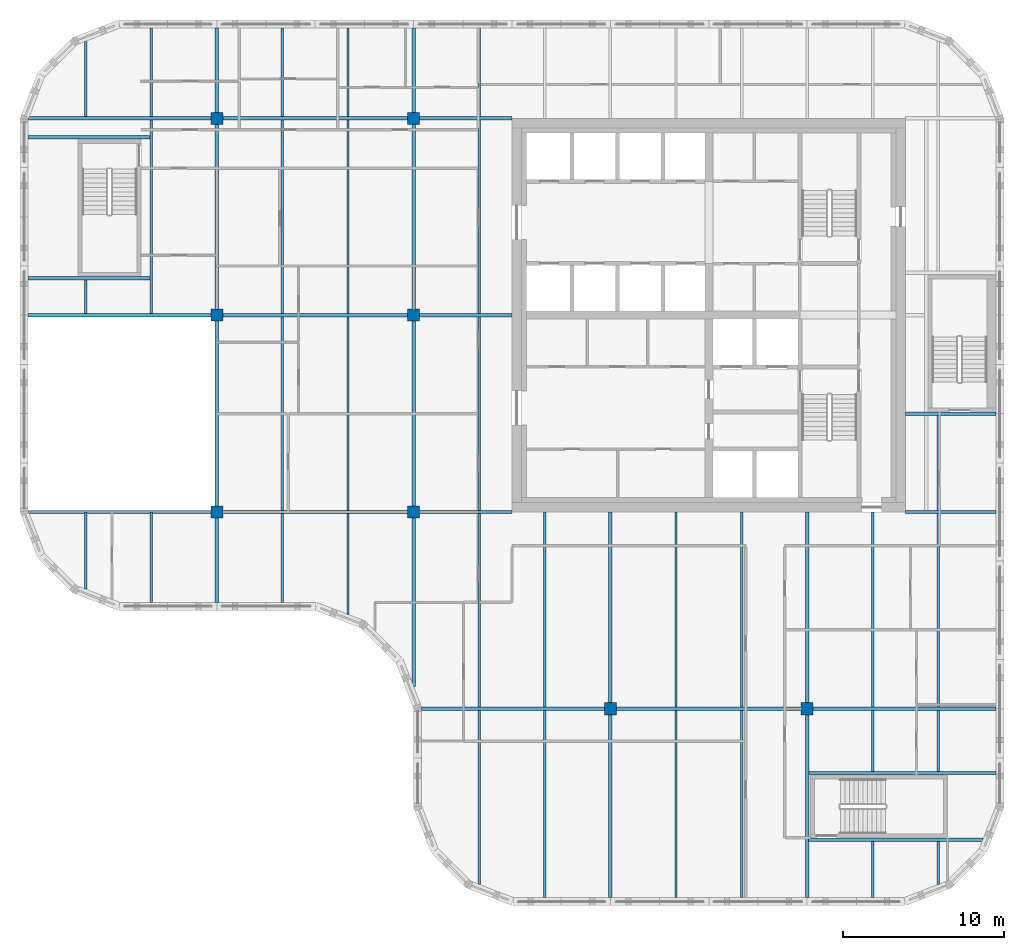
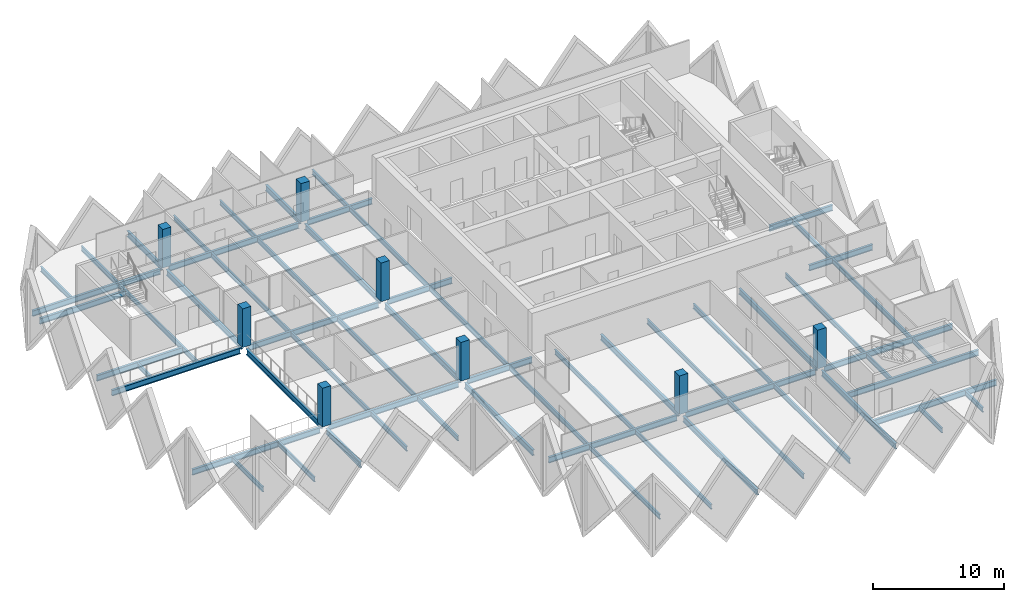
# One storey, part 1 of 11: 62 beams, 8 columns.
"""IFC4 building model written with IfcOpenShell, lengths in metres."""

from ifc_helpers import new_model, si_unit, direction, frame, origin, origin_2d, place, context, subcontext, project, spatial, rectangle, i_section, extrude, material, material_profile, profile_set, type_object, element, save


model = new_model("IFC4")

# Units and contexts
model_context = context("Model", 3, precision=1e-05, world=origin(), true_north=direction((0.0, 1.0)))
body_context = subcontext(model_context, "Body", "Model", "MODEL_VIEW")
ifc_project = project(units=[si_unit("LENGTHUNIT", "METRE"), si_unit("AREAUNIT", "SQUARE_METRE"), si_unit("VOLUMEUNIT", "CUBIC_METRE"), si_unit("PLANEANGLEUNIT", "RADIAN"), si_unit("MASSUNIT", "GRAM", prefix="KILO")], contexts=[model_context])

# Site, building, storey
site_placement = place(None, origin())
site = spatial("IfcSite", under=ifc_project, at=site_placement, CompositionType="ELEMENT")
building_placement = place(site_placement, origin())
building = spatial("IfcBuilding", under=site, at=building_placement, Name="Tessera Gate Towers", CompositionType="ELEMENT")
storey_placement = place(building_placement, frame((0.0, 0.0, 174.39990234375)))
storey = spatial("IfcBuildingStorey", under=building, at=storey_placement, Name="L43", CompositionType="ELEMENT", Elevation=174.39990234375)

# Columns
ifc_material_1 = material(Name="Concrete C70/85", Category="concrete")
ifc_material_profile_1 = material_profile(ifc_material_1, rectangle(XDim=0.75, YDim=0.75, at=origin_2d()), Name="RC 750x750")
ifc_profile_set_1 = profile_set([ifc_material_profile_1], Name="Concrete C70/85")
column_type = type_object("IfcColumnType", Name="COLUMN RC 750x750", PredefinedType="COLUMN", material=ifc_profile_set_1)
for number, where, z_axis, x_axis, name in (
    (1, (12.199951171875, 24.39990234375, 0.0), (0.0, 0.0, 1.0), (1.0, 0.0, 0.0), "T1-COL-2C-L43"),
    (2, (12.199951171875, 36.60009765625, 0.0), (0.0, 0.0, 1.0), (1.0, 0.0, 0.0), "T1-COL-2D-L43"),
    (3, (12.199951171875, 48.800048828125, 0.0), (0.0, 0.0, 1.0), (1.0, 0.0, 0.0), "T1-COL-2E-L43"),
    (4, (24.39990234375, 24.39990234375, 0.0), (0.0, 0.0, 1.0), (1.0, 0.0, 0.0), "T1-COL-3C-L43"),
    (5, (24.39990234375, 36.60009765625, 0.0), (0.0, 0.0, 1.0), (1.0, 0.0, 0.0), "T1-COL-3D-L43"),
    (6, (24.39990234375, 48.800048828125, 0.0), (0.0, 0.0, 1.0), (1.0, 0.0, 0.0), "T1-COL-3E-L43"),
    (7, (36.60009765625, 12.199951171875, 0.0), (0.0, 0.0, 1.0), (1.0, 0.0, 0.0), "T1-COL-4B-L43"),
    (8, (48.800048828125, 12.199951171875, 0.0), (0.0, 0.0, 1.0), (1.0, 0.0, 0.0), "T1-COL-5B-L43"),
):
    element("IfcColumn", number, at=place(storey_placement, frame(where, z_axis=z_axis, x_axis=x_axis)), inside=storey, type_object=column_type, Name=name, PredefinedType="COLUMN", context=body_context, shape_type="SweptSolid", body=[
        extrude(rectangle(XDim=0.75, YDim=0.75, at=origin_2d()), origin(), (0.0, 0.0, 1.0), 3.60009765625),
    ])

# Beams
ifc_material_2 = material(Name="Steel 350W", Category="steel")
ifc_material_profile_2 = material_profile(ifc_material_2, i_section(OverallWidth=0.208984375, OverallDepth=0.532958984375, WebThickness=0.01025390625, FlangeThickness=0.015625, at=origin_2d()), Name="W530x92")
ifc_profile_set_2 = profile_set([ifc_material_profile_2], Name="Steel 350W")
beam_type_1 = type_object("IfcBeamType", Name="FLOOR GIRDER W530x92", PredefinedType="BEAM", material=ifc_profile_set_2)
beam_1_placement = place(storey_placement, frame((24.89892578125, 12.199951171875, -0.46630859375), z_axis=(1.0, 0.0, 0.0), x_axis=(0.0, 1.0, 0.0)))
element("IfcBeam", 9, at=beam_1_placement, inside=storey, type_object=beam_type_1, Name="T1-GD-L43-4738", PredefinedType="BEAM", context=body_context, shape_type="SweptSolid", body=[
    extrude(i_section(OverallWidth=0.208984375, OverallDepth=0.532958984375, WebThickness=0.01025390625, FlangeThickness=0.015625, at=origin_2d()), origin(), (0.0, 0.0, 1.0), 11.326171875),
])
beam_2_placement = place(storey_placement, frame((36.97509765625, 12.199951171875, -0.46630859375), z_axis=(1.0, 0.0, 0.0), x_axis=(0.0, 1.0, 0.0)))
element("IfcBeam", 10, at=beam_2_placement, inside=storey, type_object=beam_type_1, Name="T1-GD-L43-4739", PredefinedType="BEAM", context=body_context, shape_type="SweptSolid", body=[
    extrude(i_section(OverallWidth=0.208984375, OverallDepth=0.532958984375, WebThickness=0.01025390625, FlangeThickness=0.015625, at=origin_2d()), origin(), (0.0, 0.0, 1.0), 11.449951171875),
])
beam_3_placement = place(storey_placement, frame((49.175048828125, 12.199951171875, -0.46630859375), z_axis=(1.0, 0.0, 0.0), x_axis=(0.0, 1.0, 0.0)))
element("IfcBeam", 11, at=beam_3_placement, inside=storey, type_object=beam_type_1, Name="T1-GD-L43-4740", PredefinedType="BEAM", context=body_context, shape_type="SweptSolid", body=[
    extrude(i_section(OverallWidth=0.208984375, OverallDepth=0.532958984375, WebThickness=0.01025390625, FlangeThickness=0.015625, at=origin_2d()), origin(), (0.0, 0.0, 1.0), 11.325927734375),
])
beam_4_placement = place(storey_placement, frame((0.534912109375, 24.39990234375, -0.46630859375), z_axis=(1.0, 0.0, 0.0), x_axis=(0.0, 1.0, 0.0)))
element("IfcBeam", 12, at=beam_4_placement, inside=storey, type_object=beam_type_1, Name="T1-GD-L43-4741", PredefinedType="BEAM", context=body_context, shape_type="SweptSolid", body=[
    extrude(i_section(OverallWidth=0.208984375, OverallDepth=0.532958984375, WebThickness=0.01025390625, FlangeThickness=0.015625, at=origin_2d()), origin(), (0.0, 0.0, 1.0), 11.2900390625),
])
beam_5_placement = place(storey_placement, frame((12.574951171875, 24.39990234375, -0.46630859375), z_axis=(1.0, 0.0, 0.0), x_axis=(0.0, 1.0, 0.0)))
element("IfcBeam", 13, at=beam_5_placement, inside=storey, type_object=beam_type_1, Name="T1-GD-L43-4742", PredefinedType="BEAM", context=body_context, shape_type="SweptSolid", body=[
    extrude(i_section(OverallWidth=0.208984375, OverallDepth=0.532958984375, WebThickness=0.01025390625, FlangeThickness=0.015625, at=origin_2d()), origin(), (0.0, 0.0, 1.0), 11.449951171875),
])
beam_6_placement = place(storey_placement, frame((24.77490234375, 24.39990234375, -0.46630859375), z_axis=(1.0, 0.0, 0.0), x_axis=(0.0, 1.0, 0.0)))
element("IfcBeam", 14, at=beam_6_placement, inside=storey, type_object=beam_type_1, Name="T1-GD-L43-4743", PredefinedType="BEAM", context=body_context, shape_type="SweptSolid", body=[
    extrude(i_section(OverallWidth=0.208984375, OverallDepth=0.532958984375, WebThickness=0.01025390625, FlangeThickness=0.015625, at=origin_2d()), origin(), (0.0, 0.0, 1.0), 5.72412109375),
])
beam_7_placement = place(storey_placement, frame((54.90087890625, 24.39990234375, -0.46630859375), z_axis=(1.0, 0.0, 0.0), x_axis=(0.0, 1.0, 0.0)))
element("IfcBeam", 15, at=beam_7_placement, inside=storey, type_object=beam_type_1, Name="T1-GD-L43-4744", PredefinedType="BEAM", context=body_context, shape_type="SweptSolid", body=[
    extrude(i_section(OverallWidth=0.208984375, OverallDepth=0.532958984375, WebThickness=0.01025390625, FlangeThickness=0.015625, at=origin_2d()), origin(), (0.0, 0.0, 1.0), 5.60009765625),
])
beam_8_placement = place(storey_placement, frame((0.4990234375, 36.60009765625, -0.46630859375), z_axis=(1.0, 0.0, 0.0), x_axis=(0.0, 1.0, 0.0)))
element("IfcBeam", 16, at=beam_8_placement, inside=storey, type_object=beam_type_1, Name="T1-GD-L43-4745", PredefinedType="BEAM", context=body_context, shape_type="SweptSolid", body=[
    extrude(i_section(OverallWidth=0.208984375, OverallDepth=0.532958984375, WebThickness=0.01025390625, FlangeThickness=0.015625, at=origin_2d()), origin(), (0.0, 0.0, 1.0), 11.325927734375),
])
beam_9_placement = place(storey_placement, frame((12.574951171875, 36.60009765625, -0.46630859375), z_axis=(1.0, 0.0, 0.0), x_axis=(0.0, 1.0, 0.0)))
element("IfcBeam", 17, at=beam_9_placement, inside=storey, type_object=beam_type_1, Name="T1-GD-L43-4746", PredefinedType="BEAM", context=body_context, shape_type="SweptSolid", body=[
    extrude(i_section(OverallWidth=0.208984375, OverallDepth=0.532958984375, WebThickness=0.01025390625, FlangeThickness=0.015625, at=origin_2d()), origin(), (0.0, 0.0, 1.0), 11.449951171875),
])
beam_10_placement = place(storey_placement, frame((24.77490234375, 36.60009765625, -0.46630859375), z_axis=(1.0, 0.0, 0.0), x_axis=(0.0, 1.0, 0.0)))
element("IfcBeam", 18, at=beam_10_placement, inside=storey, type_object=beam_type_1, Name="T1-GD-L43-4747", PredefinedType="BEAM", context=body_context, shape_type="SweptSolid", body=[
    extrude(i_section(OverallWidth=0.208984375, OverallDepth=0.532958984375, WebThickness=0.01025390625, FlangeThickness=0.015625, at=origin_2d()), origin(), (0.0, 0.0, 1.0), 5.72607421875),
])
beam_11_placement = place(storey_placement, frame((0.534912109375, 48.800048828125, -0.46630859375), z_axis=(1.0, 0.0, 0.0), x_axis=(0.0, 1.0, 0.0)))
element("IfcBeam", 19, at=beam_11_placement, inside=storey, type_object=beam_type_1, Name="T1-GD-L43-4749", PredefinedType="BEAM", context=body_context, shape_type="SweptSolid", body=[
    extrude(i_section(OverallWidth=0.208984375, OverallDepth=0.532958984375, WebThickness=0.01025390625, FlangeThickness=0.015625, at=origin_2d()), origin(), (0.0, 0.0, 1.0), 11.2900390625),
])
beam_12_placement = place(storey_placement, frame((12.574951171875, 48.800048828125, -0.46630859375), z_axis=(1.0, 0.0, 0.0), x_axis=(0.0, 1.0, 0.0)))
element("IfcBeam", 20, at=beam_12_placement, inside=storey, type_object=beam_type_1, Name="T1-GD-L43-4750", PredefinedType="BEAM", context=body_context, shape_type="SweptSolid", body=[
    extrude(i_section(OverallWidth=0.208984375, OverallDepth=0.532958984375, WebThickness=0.01025390625, FlangeThickness=0.015625, at=origin_2d()), origin(), (0.0, 0.0, 1.0), 11.449951171875),
])
beam_13_placement = place(storey_placement, frame((24.77490234375, 48.800048828125, -0.46630859375), z_axis=(1.0, 0.0, 0.0), x_axis=(0.0, 1.0, 0.0)))
element("IfcBeam", 21, at=beam_13_placement, inside=storey, type_object=beam_type_1, Name="T1-GD-L43-4751", PredefinedType="BEAM", context=body_context, shape_type="SweptSolid", body=[
    extrude(i_section(OverallWidth=0.208984375, OverallDepth=0.532958984375, WebThickness=0.01025390625, FlangeThickness=0.015625, at=origin_2d()), origin(), (0.0, 0.0, 1.0), 5.72412109375),
])
beam_14_placement = place(storey_placement, frame((12.199951171875, 18.799072265625, -0.46630859375), z_axis=(0.0, 1.0, 0.0), x_axis=(-1.0, 0.0, 0.0)))
element("IfcBeam", 22, at=beam_14_placement, inside=storey, type_object=beam_type_1, Name="T1-GD-L43-4753", PredefinedType="BEAM", context=body_context, shape_type="SweptSolid", body=[
    extrude(i_section(OverallWidth=0.208984375, OverallDepth=0.532958984375, WebThickness=0.01025390625, FlangeThickness=0.015625, at=origin_2d()), origin(), (0.0, 0.0, 1.0), 5.225830078125),
])
beam_15_placement = place(storey_placement, frame((12.199951171875, 24.77490234375, -0.46630859375), z_axis=(0.0, 1.0, 0.0), x_axis=(-1.0, 0.0, 0.0)))
element("IfcBeam", 23, at=beam_15_placement, inside=storey, type_object=beam_type_1, Name="T1-GD-L43-4754", PredefinedType="BEAM", context=body_context, shape_type="SweptSolid", body=[
    extrude(i_section(OverallWidth=0.208984375, OverallDepth=0.532958984375, WebThickness=0.01025390625, FlangeThickness=0.015625, at=origin_2d()), origin(), (0.0, 0.0, 1.0), 11.4501953125),
])
beam_16_placement = place(storey_placement, frame((12.199951171875, 36.97509765625, -0.46630859375), z_axis=(0.0, 1.0, 0.0), x_axis=(-1.0, 0.0, 0.0)))
element("IfcBeam", 24, at=beam_16_placement, inside=storey, type_object=beam_type_1, Name="T1-GD-L43-4755", PredefinedType="BEAM", context=body_context, shape_type="SweptSolid", body=[
    extrude(i_section(OverallWidth=0.208984375, OverallDepth=0.532958984375, WebThickness=0.01025390625, FlangeThickness=0.015625, at=origin_2d()), origin(), (0.0, 0.0, 1.0), 11.449951171875),
])
beam_17_placement = place(storey_placement, frame((12.199951171875, 49.175048828125, -0.46630859375), z_axis=(0.0, 1.0, 0.0), x_axis=(-1.0, 0.0, 0.0)))
element("IfcBeam", 25, at=beam_17_placement, inside=storey, type_object=beam_type_1, Name="T1-GD-L43-4756", PredefinedType="BEAM", context=body_context, shape_type="SweptSolid", body=[
    extrude(i_section(OverallWidth=0.208984375, OverallDepth=0.532958984375, WebThickness=0.01025390625, FlangeThickness=0.015625, at=origin_2d()), origin(), (0.0, 0.0, 1.0), 5.225830078125),
])
beam_18_placement = place(storey_placement, frame((24.39990234375, 13.58642578125, -0.46630859375), z_axis=(0.0, 1.0, 0.0), x_axis=(-1.0, 0.0, 0.0)))
element("IfcBeam", 26, at=beam_18_placement, inside=storey, type_object=beam_type_1, Name="T1-GD-L43-4757", PredefinedType="BEAM", context=body_context, shape_type="SweptSolid", body=[
    extrude(i_section(OverallWidth=0.208984375, OverallDepth=0.532958984375, WebThickness=0.01025390625, FlangeThickness=0.015625, at=origin_2d()), origin(), (0.0, 0.0, 1.0), 10.4384765625),
])
beam_19_placement = place(storey_placement, frame((24.39990234375, 24.77490234375, -0.46630859375), z_axis=(0.0, 1.0, 0.0), x_axis=(-1.0, 0.0, 0.0)))
element("IfcBeam", 27, at=beam_19_placement, inside=storey, type_object=beam_type_1, Name="T1-GD-L43-4758", PredefinedType="BEAM", context=body_context, shape_type="SweptSolid", body=[
    extrude(i_section(OverallWidth=0.208984375, OverallDepth=0.532958984375, WebThickness=0.01025390625, FlangeThickness=0.015625, at=origin_2d()), origin(), (0.0, 0.0, 1.0), 11.4501953125),
])
beam_20_placement = place(storey_placement, frame((24.39990234375, 36.97509765625, -0.46630859375), z_axis=(0.0, 1.0, 0.0), x_axis=(-1.0, 0.0, 0.0)))
element("IfcBeam", 28, at=beam_20_placement, inside=storey, type_object=beam_type_1, Name="T1-GD-L43-4759", PredefinedType="BEAM", context=body_context, shape_type="SweptSolid", body=[
    extrude(i_section(OverallWidth=0.208984375, OverallDepth=0.532958984375, WebThickness=0.01025390625, FlangeThickness=0.015625, at=origin_2d()), origin(), (0.0, 0.0, 1.0), 11.449951171875),
])
beam_21_placement = place(storey_placement, frame((24.39990234375, 49.175048828125, -0.46630859375), z_axis=(0.0, 1.0, 0.0), x_axis=(-1.0, 0.0, 0.0)))
element("IfcBeam", 29, at=beam_21_placement, inside=storey, type_object=beam_type_1, Name="T1-GD-L43-4760", PredefinedType="BEAM", context=body_context, shape_type="SweptSolid", body=[
    extrude(i_section(OverallWidth=0.208984375, OverallDepth=0.532958984375, WebThickness=0.01025390625, FlangeThickness=0.015625, at=origin_2d()), origin(), (0.0, 0.0, 1.0), 5.225830078125),
])
beam_22_placement = place(storey_placement, frame((36.60009765625, 0.4990234375, -0.46630859375), z_axis=(0.0, 1.0, 0.0), x_axis=(-1.0, 0.0, 0.0)))
element("IfcBeam", 30, at=beam_22_placement, inside=storey, type_object=beam_type_1, Name="T1-GD-L43-4761", PredefinedType="BEAM", context=body_context, shape_type="SweptSolid", body=[
    extrude(i_section(OverallWidth=0.208984375, OverallDepth=0.532958984375, WebThickness=0.01025390625, FlangeThickness=0.015625, at=origin_2d()), origin(), (0.0, 0.0, 1.0), 11.325927734375),
])
beam_23_placement = place(storey_placement, frame((36.60009765625, 12.574951171875, -0.46630859375), z_axis=(0.0, 1.0, 0.0), x_axis=(-1.0, 0.0, 0.0)))
element("IfcBeam", 31, at=beam_23_placement, inside=storey, type_object=beam_type_1, Name="T1-GD-L43-4762", PredefinedType="BEAM", context=body_context, shape_type="SweptSolid", body=[
    extrude(i_section(OverallWidth=0.208984375, OverallDepth=0.532958984375, WebThickness=0.01025390625, FlangeThickness=0.015625, at=origin_2d()), origin(), (0.0, 0.0, 1.0), 11.824951171875),
])
beam_24_placement = place(storey_placement, frame((48.800048828125, 0.4990234375, -0.46630859375), z_axis=(0.0, 1.0, 0.0), x_axis=(-1.0, 0.0, 0.0)))
element("IfcBeam", 32, at=beam_24_placement, inside=storey, type_object=beam_type_1, Name="T1-GD-L43-4763", PredefinedType="BEAM", context=body_context, shape_type="SweptSolid", body=[
    extrude(i_section(OverallWidth=0.208984375, OverallDepth=0.532958984375, WebThickness=0.01025390625, FlangeThickness=0.015625, at=origin_2d()), origin(), (0.0, 0.0, 1.0), 11.325927734375),
])
beam_25_placement = place(storey_placement, frame((48.800048828125, 12.574951171875, -0.46630859375), z_axis=(0.0, 1.0, 0.0), x_axis=(-1.0, 0.0, 0.0)))
element("IfcBeam", 33, at=beam_25_placement, inside=storey, type_object=beam_type_1, Name="T1-GD-L43-4764", PredefinedType="BEAM", context=body_context, shape_type="SweptSolid", body=[
    extrude(i_section(OverallWidth=0.208984375, OverallDepth=0.532958984375, WebThickness=0.01025390625, FlangeThickness=0.015625, at=origin_2d()), origin(), (0.0, 0.0, 1.0), 11.824951171875),
])
for number, where, z_axis, x_axis, name in (
    (34, (0.4990234375, 38.8798828125, -0.46630859375), (1.0, 0.0, 0.0), (0.0, 1.0, 0.0), "T1-GD-L43-4765"),
    (35, (0.4990234375, 47.6201171875, -0.46630859375), (1.0, 0.0, 0.0), (0.0, 1.0, 0.0), "T1-GD-L43-4766"),
):
    element("IfcBeam", number, at=place(storey_placement, frame(where, z_axis=z_axis, x_axis=x_axis)), inside=storey, type_object=beam_type_1, Name=name, PredefinedType="BEAM", context=body_context, shape_type="SweptSolid", body=[
        extrude(i_section(OverallWidth=0.208984375, OverallDepth=0.532958984375, WebThickness=0.01025390625, FlangeThickness=0.015625, at=origin_2d()), origin(), (0.0, 0.0, 1.0), 7.557861328125),
    ])
beam_26_placement = place(storey_placement, frame((48.87646484375, 4.080078125, -0.46630859375), z_axis=(1.0, 0.0, 0.0), x_axis=(0.0, 1.0, 0.0)))
element("IfcBeam", 36, at=beam_26_placement, inside=storey, type_object=beam_type_1, Name="T1-GD-L43-4767", PredefinedType="BEAM", context=body_context, shape_type="SweptSolid", body=[
    extrude(i_section(OverallWidth=0.208984375, OverallDepth=0.532958984375, WebThickness=0.01025390625, FlangeThickness=0.015625, at=origin_2d()), origin(), (0.0, 0.0, 1.0), 10.809326171875),
])
beam_27_placement = place(storey_placement, frame((48.87646484375, 8.219970703125, -0.46630859375), z_axis=(1.0, 0.0, 0.0), x_axis=(0.0, 1.0, 0.0)))
element("IfcBeam", 37, at=beam_27_placement, inside=storey, type_object=beam_type_1, Name="T1-GD-L43-4768", PredefinedType="BEAM", context=body_context, shape_type="SweptSolid", body=[
    extrude(i_section(OverallWidth=0.208984375, OverallDepth=0.532958984375, WebThickness=0.01025390625, FlangeThickness=0.015625, at=origin_2d()), origin(), (0.0, 0.0, 1.0), 11.62451171875),
])
beam_28_placement = place(storey_placement, frame((54.89892578125, 30.47998046875, -0.46630859375), z_axis=(1.0, 0.0, 0.0), x_axis=(0.0, 1.0, 0.0)))
element("IfcBeam", 38, at=beam_28_placement, inside=storey, type_object=beam_type_1, Name="T1-GD-L43-4769", PredefinedType="BEAM", context=body_context, shape_type="SweptSolid", body=[
    extrude(i_section(OverallWidth=0.208984375, OverallDepth=0.532958984375, WebThickness=0.01025390625, FlangeThickness=0.015625, at=origin_2d()), origin(), (0.0, 0.0, 1.0), 5.60205078125),
])
ifc_material_3 = material(Name="Steel 350W", Category="steel")
ifc_material_profile_3 = material_profile(ifc_material_3, i_section(OverallWidth=0.153076171875, OverallDepth=0.455078125, WebThickness=0.008056640625, FlangeThickness=0.01318359375, at=origin_2d()), Name="W460x60")
ifc_profile_set_3 = profile_set([ifc_material_profile_3], Name="Steel 350W")
beam_type_2 = type_object("IfcBeamType", Name="FLOOR SECONDARY W460x60", PredefinedType="BEAM", material=ifc_profile_set_3)
beam_29_placement = place(storey_placement, frame((4.066650390625, 19.620361328125, -0.427490234375), z_axis=(0.0, 1.0, 0.0), x_axis=(-1.0, 0.0, 0.0)))
element("IfcBeam", 39, at=beam_29_placement, inside=storey, type_object=beam_type_2, Name="T1-BM-L43-4772", PredefinedType="BEAM", context=body_context, shape_type="SweptSolid", body=[
    extrude(i_section(OverallWidth=0.153076171875, OverallDepth=0.455078125, WebThickness=0.008056640625, FlangeThickness=0.01318359375, at=origin_2d()), origin(), (0.0, 0.0, 1.0), 4.779541015625),
])
beam_30_placement = place(storey_placement, frame((4.066650390625, 36.70458984375, -0.427490234375), z_axis=(0.0, 1.0, 0.0), x_axis=(-1.0, 0.0, 0.0)))
element("IfcBeam", 40, at=beam_30_placement, inside=storey, type_object=beam_type_2, Name="T1-BM-L43-4773", PredefinedType="BEAM", context=body_context, shape_type="SweptSolid", body=[
    extrude(i_section(OverallWidth=0.153076171875, OverallDepth=0.455078125, WebThickness=0.008056640625, FlangeThickness=0.01318359375, at=origin_2d()), origin(), (0.0, 0.0, 1.0), 2.07080078125),
])
beam_31_placement = place(storey_placement, frame((4.066650390625, 48.904541015625, -0.427490234375), z_axis=(0.0, 1.0, 0.0), x_axis=(-1.0, 0.0, 0.0)))
element("IfcBeam", 41, at=beam_31_placement, inside=storey, type_object=beam_type_2, Name="T1-BM-L43-4774", PredefinedType="BEAM", context=body_context, shape_type="SweptSolid", body=[
    extrude(i_section(OverallWidth=0.153076171875, OverallDepth=0.455078125, WebThickness=0.008056640625, FlangeThickness=0.01318359375, at=origin_2d()), origin(), (0.0, 0.0, 1.0), 4.675048828125),
])
beam_32_placement = place(storey_placement, frame((8.13330078125, 18.800048828125, -0.427490234375), z_axis=(0.0, 1.0, 0.0), x_axis=(-1.0, 0.0, 0.0)))
element("IfcBeam", 42, at=beam_32_placement, inside=storey, type_object=beam_type_2, Name="T1-BM-L43-4775", PredefinedType="BEAM", context=body_context, shape_type="SweptSolid", body=[
    extrude(i_section(OverallWidth=0.153076171875, OverallDepth=0.455078125, WebThickness=0.008056640625, FlangeThickness=0.01318359375, at=origin_2d()), origin(), (0.0, 0.0, 1.0), 5.599853515625),
])
beam_33_placement = place(storey_placement, frame((8.13330078125, 36.70458984375, -0.427490234375), z_axis=(0.0, 1.0, 0.0), x_axis=(-1.0, 0.0, 0.0)))
element("IfcBeam", 43, at=beam_33_placement, inside=storey, type_object=beam_type_2, Name="T1-BM-L43-4776", PredefinedType="BEAM", context=body_context, shape_type="SweptSolid", body=[
    extrude(i_section(OverallWidth=0.153076171875, OverallDepth=0.455078125, WebThickness=0.008056640625, FlangeThickness=0.01318359375, at=origin_2d()), origin(), (0.0, 0.0, 1.0), 11.990966796875),
])
for number, where, z_axis, x_axis, name in (
    (44, (8.13330078125, 48.904541015625, -0.427490234375), (0.0, 1.0, 0.0), (-1.0, 0.0, 0.0), "T1-BM-L43-4777"),
    (45, (16.2666015625, 18.800048828125, -0.427490234375), (0.0, 1.0, 0.0), (-1.0, 0.0, 0.0), "T1-BM-L43-4778"),
):
    element("IfcBeam", number, at=place(storey_placement, frame(where, z_axis=z_axis, x_axis=x_axis)), inside=storey, type_object=beam_type_2, Name=name, PredefinedType="BEAM", context=body_context, shape_type="SweptSolid", body=[
        extrude(i_section(OverallWidth=0.153076171875, OverallDepth=0.455078125, WebThickness=0.008056640625, FlangeThickness=0.01318359375, at=origin_2d()), origin(), (0.0, 0.0, 1.0), 5.495361328125),
    ])
beam_34_placement = place(storey_placement, frame((16.2666015625, 24.50439453125, -0.427490234375), z_axis=(0.0, 1.0, 0.0), x_axis=(-1.0, 0.0, 0.0)))
element("IfcBeam", 46, at=beam_34_placement, inside=storey, type_object=beam_type_2, Name="T1-BM-L43-4779", PredefinedType="BEAM", context=body_context, shape_type="SweptSolid", body=[
    extrude(i_section(OverallWidth=0.153076171875, OverallDepth=0.455078125, WebThickness=0.008056640625, FlangeThickness=0.01318359375, at=origin_2d()), origin(), (0.0, 0.0, 1.0), 11.9912109375),
])
beam_35_placement = place(storey_placement, frame((16.2666015625, 36.70458984375, -0.427490234375), z_axis=(0.0, 1.0, 0.0), x_axis=(-1.0, 0.0, 0.0)))
element("IfcBeam", 47, at=beam_35_placement, inside=storey, type_object=beam_type_2, Name="T1-BM-L43-4780", PredefinedType="BEAM", context=body_context, shape_type="SweptSolid", body=[
    extrude(i_section(OverallWidth=0.153076171875, OverallDepth=0.455078125, WebThickness=0.008056640625, FlangeThickness=0.01318359375, at=origin_2d()), origin(), (0.0, 0.0, 1.0), 11.990966796875),
])
beam_36_placement = place(storey_placement, frame((16.2666015625, 48.904541015625, -0.427490234375), z_axis=(0.0, 1.0, 0.0), x_axis=(-1.0, 0.0, 0.0)))
element("IfcBeam", 48, at=beam_36_placement, inside=storey, type_object=beam_type_2, Name="T1-BM-L43-4781", PredefinedType="BEAM", context=body_context, shape_type="SweptSolid", body=[
    extrude(i_section(OverallWidth=0.153076171875, OverallDepth=0.455078125, WebThickness=0.008056640625, FlangeThickness=0.01318359375, at=origin_2d()), origin(), (0.0, 0.0, 1.0), 5.495361328125),
])
beam_37_placement = place(storey_placement, frame((20.333251953125, 18.051513671875, -0.427490234375), z_axis=(0.0, 1.0, 0.0), x_axis=(-1.0, 0.0, 0.0)))
element("IfcBeam", 49, at=beam_37_placement, inside=storey, type_object=beam_type_2, Name="T1-BM-L43-4782", PredefinedType="BEAM", context=body_context, shape_type="SweptSolid", body=[
    extrude(i_section(OverallWidth=0.153076171875, OverallDepth=0.455078125, WebThickness=0.008056640625, FlangeThickness=0.01318359375, at=origin_2d()), origin(), (0.0, 0.0, 1.0), 6.243896484375),
])
beam_38_placement = place(storey_placement, frame((20.333251953125, 24.50439453125, -0.427490234375), z_axis=(0.0, 1.0, 0.0), x_axis=(-1.0, 0.0, 0.0)))
element("IfcBeam", 50, at=beam_38_placement, inside=storey, type_object=beam_type_2, Name="T1-BM-L43-4783", PredefinedType="BEAM", context=body_context, shape_type="SweptSolid", body=[
    extrude(i_section(OverallWidth=0.153076171875, OverallDepth=0.455078125, WebThickness=0.008056640625, FlangeThickness=0.01318359375, at=origin_2d()), origin(), (0.0, 0.0, 1.0), 11.9912109375),
])
beam_39_placement = place(storey_placement, frame((20.333251953125, 36.70458984375, -0.427490234375), z_axis=(0.0, 1.0, 0.0), x_axis=(-1.0, 0.0, 0.0)))
element("IfcBeam", 51, at=beam_39_placement, inside=storey, type_object=beam_type_2, Name="T1-BM-L43-4784", PredefinedType="BEAM", context=body_context, shape_type="SweptSolid", body=[
    extrude(i_section(OverallWidth=0.153076171875, OverallDepth=0.455078125, WebThickness=0.008056640625, FlangeThickness=0.01318359375, at=origin_2d()), origin(), (0.0, 0.0, 1.0), 11.990966796875),
])
beam_40_placement = place(storey_placement, frame((20.333251953125, 48.904541015625, -0.427490234375), z_axis=(0.0, 1.0, 0.0), x_axis=(-1.0, 0.0, 0.0)))
element("IfcBeam", 52, at=beam_40_placement, inside=storey, type_object=beam_type_2, Name="T1-BM-L43-4785", PredefinedType="BEAM", context=body_context, shape_type="SweptSolid", body=[
    extrude(i_section(OverallWidth=0.153076171875, OverallDepth=0.455078125, WebThickness=0.008056640625, FlangeThickness=0.01318359375, at=origin_2d()), origin(), (0.0, 0.0, 1.0), 5.495361328125),
])
beam_41_placement = place(storey_placement, frame((28.466796875, 1.3203125, -0.427490234375), z_axis=(0.0, 1.0, 0.0), x_axis=(-1.0, 0.0, 0.0)))
element("IfcBeam", 53, at=beam_41_placement, inside=storey, type_object=beam_type_2, Name="T1-BM-L43-4786", PredefinedType="BEAM", context=body_context, shape_type="SweptSolid", body=[
    extrude(i_section(OverallWidth=0.153076171875, OverallDepth=0.455078125, WebThickness=0.008056640625, FlangeThickness=0.01318359375, at=origin_2d()), origin(), (0.0, 0.0, 1.0), 10.775146484375),
])
beam_42_placement = place(storey_placement, frame((28.466796875, 12.304443359375, -0.427490234375), z_axis=(0.0, 1.0, 0.0), x_axis=(-1.0, 0.0, 0.0)))
element("IfcBeam", 54, at=beam_42_placement, inside=storey, type_object=beam_type_2, Name="T1-BM-L43-4787", PredefinedType="BEAM", context=body_context, shape_type="SweptSolid", body=[
    extrude(i_section(OverallWidth=0.153076171875, OverallDepth=0.455078125, WebThickness=0.008056640625, FlangeThickness=0.01318359375, at=origin_2d()), origin(), (0.0, 0.0, 1.0), 11.990966796875),
])
beam_43_placement = place(storey_placement, frame((28.466796875, 24.50439453125, -0.427490234375), z_axis=(0.0, 1.0, 0.0), x_axis=(-1.0, 0.0, 0.0)))
element("IfcBeam", 55, at=beam_43_placement, inside=storey, type_object=beam_type_2, Name="T1-BM-L43-4788", PredefinedType="BEAM", context=body_context, shape_type="SweptSolid", body=[
    extrude(i_section(OverallWidth=0.153076171875, OverallDepth=0.455078125, WebThickness=0.008056640625, FlangeThickness=0.01318359375, at=origin_2d()), origin(), (0.0, 0.0, 1.0), 11.9912109375),
])
beam_44_placement = place(storey_placement, frame((28.466796875, 36.70458984375, -0.427490234375), z_axis=(0.0, 1.0, 0.0), x_axis=(-1.0, 0.0, 0.0)))
element("IfcBeam", 56, at=beam_44_placement, inside=storey, type_object=beam_type_2, Name="T1-BM-L43-4789", PredefinedType="BEAM", context=body_context, shape_type="SweptSolid", body=[
    extrude(i_section(OverallWidth=0.153076171875, OverallDepth=0.455078125, WebThickness=0.008056640625, FlangeThickness=0.01318359375, at=origin_2d()), origin(), (0.0, 0.0, 1.0), 11.990966796875),
])
beam_45_placement = place(storey_placement, frame((28.466796875, 48.904541015625, -0.427490234375), z_axis=(0.0, 1.0, 0.0), x_axis=(-1.0, 0.0, 0.0)))
element("IfcBeam", 57, at=beam_45_placement, inside=storey, type_object=beam_type_2, Name="T1-BM-L43-4790", PredefinedType="BEAM", context=body_context, shape_type="SweptSolid", body=[
    extrude(i_section(OverallWidth=0.153076171875, OverallDepth=0.455078125, WebThickness=0.008056640625, FlangeThickness=0.01318359375, at=origin_2d()), origin(), (0.0, 0.0, 1.0), 5.495361328125),
])
beam_46_placement = place(storey_placement, frame((32.533203125, 0.5, -0.427490234375), z_axis=(0.0, 1.0, 0.0), x_axis=(-1.0, 0.0, 0.0)))
element("IfcBeam", 58, at=beam_46_placement, inside=storey, type_object=beam_type_2, Name="T1-BM-L43-4791", PredefinedType="BEAM", context=body_context, shape_type="SweptSolid", body=[
    extrude(i_section(OverallWidth=0.153076171875, OverallDepth=0.455078125, WebThickness=0.008056640625, FlangeThickness=0.01318359375, at=origin_2d()), origin(), (0.0, 0.0, 1.0), 11.595458984375),
])
beam_47_placement = place(storey_placement, frame((32.533203125, 12.304443359375, -0.427490234375), z_axis=(0.0, 1.0, 0.0), x_axis=(-1.0, 0.0, 0.0)))
element("IfcBeam", 59, at=beam_47_placement, inside=storey, type_object=beam_type_2, Name="T1-BM-L43-4792", PredefinedType="BEAM", context=body_context, shape_type="SweptSolid", body=[
    extrude(i_section(OverallWidth=0.153076171875, OverallDepth=0.455078125, WebThickness=0.008056640625, FlangeThickness=0.01318359375, at=origin_2d()), origin(), (0.0, 0.0, 1.0), 12.095458984375),
])
beam_48_placement = place(storey_placement, frame((40.666748046875, 0.5, -0.427490234375), z_axis=(0.0, 1.0, 0.0), x_axis=(-1.0, 0.0, 0.0)))
element("IfcBeam", 60, at=beam_48_placement, inside=storey, type_object=beam_type_2, Name="T1-BM-L43-4795", PredefinedType="BEAM", context=body_context, shape_type="SweptSolid", body=[
    extrude(i_section(OverallWidth=0.153076171875, OverallDepth=0.455078125, WebThickness=0.008056640625, FlangeThickness=0.01318359375, at=origin_2d()), origin(), (0.0, 0.0, 1.0), 11.595458984375),
])
beam_49_placement = place(storey_placement, frame((40.666748046875, 12.304443359375, -0.427490234375), z_axis=(0.0, 1.0, 0.0), x_axis=(-1.0, 0.0, 0.0)))
element("IfcBeam", 61, at=beam_49_placement, inside=storey, type_object=beam_type_2, Name="T1-BM-L43-4796", PredefinedType="BEAM", context=body_context, shape_type="SweptSolid", body=[
    extrude(i_section(OverallWidth=0.153076171875, OverallDepth=0.455078125, WebThickness=0.008056640625, FlangeThickness=0.01318359375, at=origin_2d()), origin(), (0.0, 0.0, 1.0), 12.095458984375),
])
beam_50_placement = place(storey_placement, frame((44.7333984375, 0.5, -0.427490234375), z_axis=(0.0, 1.0, 0.0), x_axis=(-1.0, 0.0, 0.0)))
element("IfcBeam", 62, at=beam_50_placement, inside=storey, type_object=beam_type_2, Name="T1-BM-L43-4798", PredefinedType="BEAM", context=body_context, shape_type="SweptSolid", body=[
    extrude(i_section(OverallWidth=0.153076171875, OverallDepth=0.455078125, WebThickness=0.008056640625, FlangeThickness=0.01318359375, at=origin_2d()), origin(), (0.0, 0.0, 1.0), 11.595458984375),
])
beam_51_placement = place(storey_placement, frame((44.7333984375, 12.304443359375, -0.427490234375), z_axis=(0.0, 1.0, 0.0), x_axis=(-1.0, 0.0, 0.0)))
element("IfcBeam", 63, at=beam_51_placement, inside=storey, type_object=beam_type_2, Name="T1-BM-L43-4799", PredefinedType="BEAM", context=body_context, shape_type="SweptSolid", body=[
    extrude(i_section(OverallWidth=0.153076171875, OverallDepth=0.455078125, WebThickness=0.008056640625, FlangeThickness=0.01318359375, at=origin_2d()), origin(), (0.0, 0.0, 1.0), 12.095458984375),
])
beam_52_placement = place(storey_placement, frame((52.86669921875, 0.5, -0.427490234375), z_axis=(0.0, 1.0, 0.0), x_axis=(-1.0, 0.0, 0.0)))
element("IfcBeam", 64, at=beam_52_placement, inside=storey, type_object=beam_type_2, Name="T1-BM-L43-4802", PredefinedType="BEAM", context=body_context, shape_type="SweptSolid", body=[
    extrude(i_section(OverallWidth=0.153076171875, OverallDepth=0.455078125, WebThickness=0.008056640625, FlangeThickness=0.01318359375, at=origin_2d()), origin(), (0.0, 0.0, 1.0), 3.4755859375),
])
beam_53_placement = place(storey_placement, frame((52.86669921875, 8.324462890625, -0.427490234375), z_axis=(0.0, 1.0, 0.0), x_axis=(-1.0, 0.0, 0.0)))
element("IfcBeam", 65, at=beam_53_placement, inside=storey, type_object=beam_type_2, Name="T1-BM-L43-4803", PredefinedType="BEAM", context=body_context, shape_type="SweptSolid", body=[
    extrude(i_section(OverallWidth=0.153076171875, OverallDepth=0.455078125, WebThickness=0.008056640625, FlangeThickness=0.01318359375, at=origin_2d()), origin(), (0.0, 0.0, 1.0), 3.77099609375),
])
beam_54_placement = place(storey_placement, frame((52.86669921875, 12.304443359375, -0.427490234375), z_axis=(0.0, 1.0, 0.0), x_axis=(-1.0, 0.0, 0.0)))
element("IfcBeam", 66, at=beam_54_placement, inside=storey, type_object=beam_type_2, Name="T1-BM-L43-4804", PredefinedType="BEAM", context=body_context, shape_type="SweptSolid", body=[
    extrude(i_section(OverallWidth=0.153076171875, OverallDepth=0.455078125, WebThickness=0.008056640625, FlangeThickness=0.01318359375, at=origin_2d()), origin(), (0.0, 0.0, 1.0), 12.095458984375),
])
beam_55_placement = place(storey_placement, frame((56.933349609375, 1.3203125, -0.427490234375), z_axis=(0.0, 1.0, 0.0), x_axis=(-1.0, 0.0, 0.0)))
element("IfcBeam", 67, at=beam_55_placement, inside=storey, type_object=beam_type_2, Name="T1-BM-L43-4806", PredefinedType="BEAM", context=body_context, shape_type="SweptSolid", body=[
    extrude(i_section(OverallWidth=0.153076171875, OverallDepth=0.455078125, WebThickness=0.008056640625, FlangeThickness=0.01318359375, at=origin_2d()), origin(), (0.0, 0.0, 1.0), 2.6552734375),
])
beam_56_placement = place(storey_placement, frame((56.933349609375, 8.324462890625, -0.427490234375), z_axis=(0.0, 1.0, 0.0), x_axis=(-1.0, 0.0, 0.0)))
element("IfcBeam", 68, at=beam_56_placement, inside=storey, type_object=beam_type_2, Name="T1-BM-L43-4807", PredefinedType="BEAM", context=body_context, shape_type="SweptSolid", body=[
    extrude(i_section(OverallWidth=0.153076171875, OverallDepth=0.455078125, WebThickness=0.008056640625, FlangeThickness=0.01318359375, at=origin_2d()), origin(), (0.0, 0.0, 1.0), 3.77099609375),
])
beam_57_placement = place(storey_placement, frame((56.933349609375, 12.304443359375, -0.427490234375), z_axis=(0.0, 1.0, 0.0), x_axis=(-1.0, 0.0, 0.0)))
element("IfcBeam", 69, at=beam_57_placement, inside=storey, type_object=beam_type_2, Name="T1-BM-L43-4808", PredefinedType="BEAM", context=body_context, shape_type="SweptSolid", body=[
    extrude(i_section(OverallWidth=0.153076171875, OverallDepth=0.455078125, WebThickness=0.008056640625, FlangeThickness=0.01318359375, at=origin_2d()), origin(), (0.0, 0.0, 1.0), 11.990966796875),
])
beam_58_placement = place(storey_placement, frame((56.933349609375, 24.50439453125, -0.427490234375), z_axis=(0.0, 1.0, 0.0), x_axis=(-1.0, 0.0, 0.0)))
element("IfcBeam", 70, at=beam_58_placement, inside=storey, type_object=beam_type_2, Name="T1-BM-L43-4809", PredefinedType="BEAM", context=body_context, shape_type="SweptSolid", body=[
    extrude(i_section(OverallWidth=0.153076171875, OverallDepth=0.455078125, WebThickness=0.008056640625, FlangeThickness=0.01318359375, at=origin_2d()), origin(), (0.0, 0.0, 1.0), 5.87109375),
])

save(model, "model.ifc")
